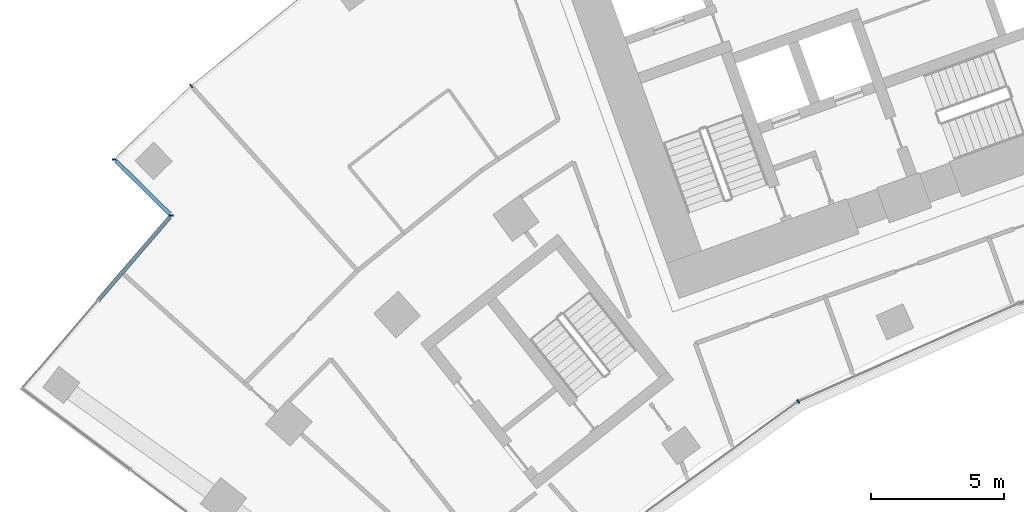
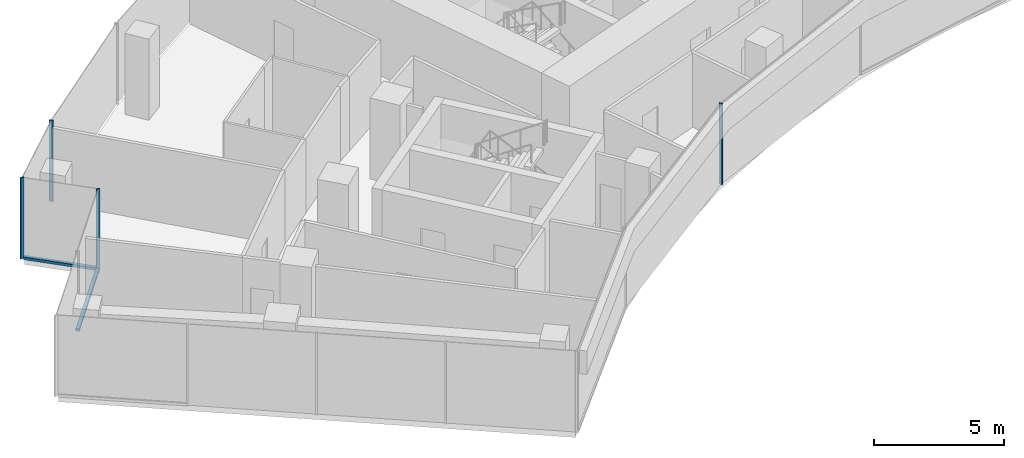
# One storey, part 3 of 21: 6 members, 4 elements without a shape of their own.
"""IFC4 building model written with IfcOpenShell, lengths in metres."""

from ifc_helpers import new_model, si_unit, direction, frame, origin, origin_2d, place, context, subcontext, project, spatial, rectangle, extrude, material, layer, layer_set, material_profile, profile_set, type_object, element, aggregate, save


model = new_model("IFC4")

# Units and contexts
model_context = context("Model", 3, precision=1e-05, world=origin(), true_north=direction((0.0, 1.0)))
body_context = subcontext(model_context, "Body", "Model", "MODEL_VIEW")
ifc_project = project(units=[si_unit("LENGTHUNIT", "METRE"), si_unit("AREAUNIT", "SQUARE_METRE"), si_unit("VOLUMEUNIT", "CUBIC_METRE"), si_unit("PLANEANGLEUNIT", "RADIAN"), si_unit("MASSUNIT", "GRAM", prefix="KILO")], contexts=[model_context])

# Site, building, storey
site_placement = place(None, origin())
site = spatial("IfcSite", under=ifc_project, at=site_placement, CompositionType="ELEMENT")
building_placement = place(site_placement, origin())
building = spatial("IfcBuilding", under=site, at=building_placement, Name="Stone Belt Terrace Tower", CompositionType="ELEMENT")
storey_placement = place(building_placement, frame((0.0, 0.0, 159.199951171875)))
storey = spatial("IfcBuildingStorey", under=building, at=storey_placement, Name="L38", CompositionType="ELEMENT", Elevation=159.199951171875)

# Curtain wall, member
ifc_material = material(Name="Aluminium 6063-T6 anodised frame", Category="aluminium")
ifc_layer_1 = layer(ifc_material, 0.14990234375)
ifc_layer_set_1 = layer_set([ifc_layer_1], Name="CW-A unitised convex-face curtain wall")
curtain_wall_type_1 = type_object("IfcCurtainWallType", Name="CW-A unitised convex-face curtain wall", PredefinedType="NOTDEFINED", material=ifc_layer_set_1)
curtain_wall_1_placement = place(storey_placement, origin())
curtain_wall_1 = element("IfcCurtainWall", 1, at=curtain_wall_1_placement, inside=storey, type_object=curtain_wall_type_1, Name="CW-A convex face L38", PredefinedType="NOTDEFINED")
ifc_material_profile_1 = material_profile(ifc_material, rectangle(XDim=0.14990234375, YDim=0.06005859375, at=origin_2d()), Name="Aluminium 6063-T6 60x150")
ifc_profile_set_1 = profile_set([ifc_material_profile_1], Name="Aluminium 6063-T6 anodised frame")
member_type_1 = type_object("IfcMemberType", Name="CW-A mullion 60 x 150", PredefinedType="MULLION", material=ifc_profile_set_1)
member_1_placement = place(storey_placement, frame((-44.546875, 49.4755859375, 0.0), z_axis=(0.0, 0.0, 1.0), x_axis=(0.660573481499, -0.75076139721, 0.0)))
member_1 = element("IfcMember", 2, at=member_1_placement, type_object=member_type_1, Name="CW-A mullion 16", PredefinedType="MULLION", context=body_context, shape_type="SweptSolid", body=[
    extrude(rectangle(XDim=0.14990234375, YDim=0.06005859375, at=origin_2d()), origin(), (0.0, 0.0, 1.0), 3.800048828125),
])
aggregate(curtain_wall_1, [member_1])

ifc_layer_2 = layer(ifc_material, 0.14990234375)
ifc_layer_set_2 = layer_set([ifc_layer_2], Name="CW-B unitised concave-face curtain wall")
curtain_wall_type_2 = type_object("IfcCurtainWallType", Name="CW-B unitised concave-face curtain wall", PredefinedType="NOTDEFINED", material=ifc_layer_set_2)
curtain_wall_2_placement = place(storey_placement, origin())
curtain_wall_2 = element("IfcCurtainWall", 3, at=curtain_wall_2_placement, inside=storey, type_object=curtain_wall_type_2, Name="CW-B concave face L38", PredefinedType="NOTDEFINED")
ifc_material_profile_2 = material_profile(ifc_material, rectangle(XDim=0.14990234375, YDim=0.050048828125, at=origin_2d()), Name="Aluminium 6063-T6 50x150")
ifc_profile_set_2 = profile_set([ifc_material_profile_2], Name="Aluminium 6063-T6 anodised frame")
member_type_2 = type_object("IfcMemberType", Name="CW-B mullion 50 x 150", PredefinedType="MULLION", material=ifc_profile_set_2)
member_2_placement = place(storey_placement, frame((-21.71240234375, 37.606689453125, 0.0), z_axis=(0.0, 0.0, 1.0), x_axis=(-0.5, 0.866025403784, 0.0)))
member_2 = element("IfcMember", 4, at=member_2_placement, type_object=member_type_2, Name="CW-B mullion 3", PredefinedType="MULLION", context=body_context, shape_type="SweptSolid", body=[
    extrude(rectangle(XDim=0.14990234375, YDim=0.050048828125, at=origin_2d()), origin(), (0.0, 0.0, 1.0), 3.800048828125),
])
aggregate(curtain_wall_2, [member_2])

ifc_layer_3 = layer(ifc_material, 0.14990234375)
ifc_layer_set_3 = layer_set([ifc_layer_3], Name="CW-C stick curtain wall, horn ends and notches")
curtain_wall_type_3 = type_object("IfcCurtainWallType", Name="CW-C stick curtain wall, horn ends and notches", PredefinedType="NOTDEFINED", material=ifc_layer_set_3)
curtain_wall_3_placement = place(storey_placement, origin())
curtain_wall_3 = element("IfcCurtainWall", 5, at=curtain_wall_3_placement, inside=storey, type_object=curtain_wall_type_3, Name="CW-C notch face L38", PredefinedType="NOTDEFINED")
ifc_material_profile_3 = material_profile(ifc_material, rectangle(XDim=0.14990234375, YDim=0.06005859375, at=origin_2d()), Name="Aluminium 6063-T6 60x150")
ifc_profile_set_3 = profile_set([ifc_material_profile_3], Name="Aluminium 6063-T6 anodised frame")
member_type_3 = type_object("IfcMemberType", Name="CW-C mullion 60 x 150", PredefinedType="MULLION", material=ifc_profile_set_3)
member_3_placement = place(storey_placement, frame((-47.4365234375, 46.715087890625, 0.0), z_axis=(0.0, 0.0, 1.0), x_axis=(0.999966480105, -0.008187714406, 0.0)))
member_3 = element("IfcMember", 6, at=member_3_placement, type_object=member_type_3, Name="CW-C mullion 1", PredefinedType="MULLION", context=body_context, shape_type="SweptSolid", body=[
    extrude(rectangle(XDim=0.14990234375, YDim=0.06005859375, at=origin_2d()), origin(), (0.0, 0.0, 1.0), 3.800048828125),
])

curtain_wall_4_placement = place(storey_placement, origin())
curtain_wall_4 = element("IfcCurtainWall", 7, at=curtain_wall_4_placement, inside=storey, type_object=curtain_wall_type_3, Name="CW-C notch face L38", PredefinedType="NOTDEFINED")
member_4_placement = place(storey_placement, frame((-45.29638671875, 44.602783203125, 0.0), z_axis=(0.0, 0.0, 1.0), x_axis=(0.999185209744, 0.040359839301, 0.0)))
member_4 = element("IfcMember", 8, at=member_4_placement, type_object=member_type_3, Name="CW-C mullion 1", PredefinedType="MULLION", context=body_context, shape_type="SweptSolid", body=[
    extrude(rectangle(XDim=0.14990234375, YDim=0.06005859375, at=origin_2d()), origin(), (0.0, 0.0, 1.0), 3.800048828125),
])

# Member
ifc_material_profile_4 = material_profile(ifc_material, rectangle(XDim=0.14990234375, YDim=0.1201171875, at=origin_2d()), Name="Aluminium 6063-T6 150x120")
ifc_profile_set_4 = profile_set([ifc_material_profile_4], Name="Aluminium 6063-T6 anodised frame")
member_type_4 = type_object("IfcMemberType", Name="CW-C transom 120 x 150", PredefinedType="USERDEFINED", material=ifc_profile_set_4)
member_5_placement = place(storey_placement, frame((-47.383544921875, 46.66259765625, 0.06005859375), z_axis=(0.711744791626, -0.702438147877, 0.0), x_axis=(0.702438147877, 0.711744791626, 0.0)))
member_5 = element("IfcMember", 9, at=member_5_placement, type_object=member_type_4, Name="CW-C transom 1.1", ObjectType="TRANSOM", PredefinedType="USERDEFINED", context=body_context, shape_type="SweptSolid", body=[
    extrude(rectangle(XDim=0.14990234375, YDim=0.1201171875, at=origin_2d()), origin(), (0.0, 0.0, 1.0), 2.859375),
])

aggregate(curtain_wall_3, [member_3, member_5])

member_6_placement = place(storey_placement, frame((-45.343994140625, 44.54736328125, 0.06005859375), z_axis=(-0.652755588772, -0.757568572029, 0.0), x_axis=(0.757568572029, -0.652755588772, 0.0)))
member_6 = element("IfcMember", 10, at=member_6_placement, type_object=member_type_4, Name="CW-C transom 1.1", ObjectType="TRANSOM", PredefinedType="USERDEFINED", context=body_context, shape_type="SweptSolid", body=[
    extrude(rectangle(XDim=0.14990234375, YDim=0.1201171875, at=origin_2d()), origin(), (0.0, 0.0, 1.0), 4.12060546875),
])

aggregate(curtain_wall_4, [member_4, member_6])

save(model, "model.ifc")
